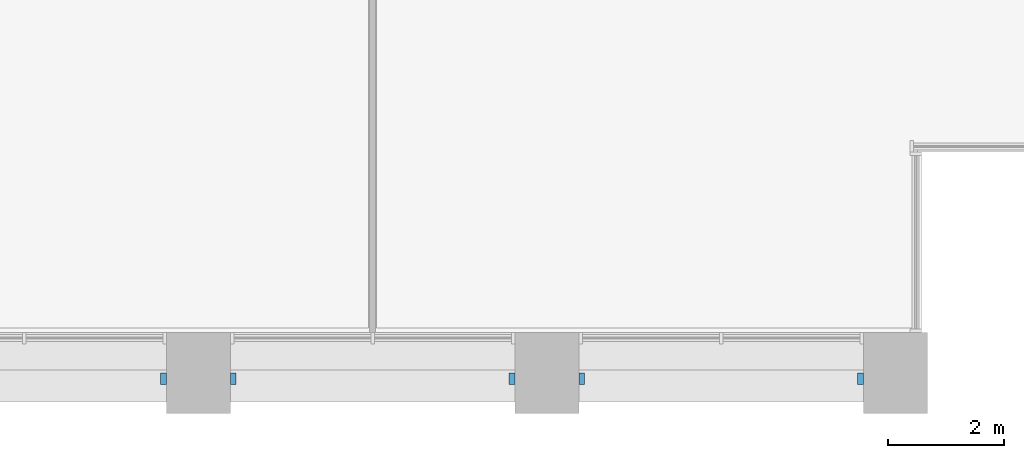
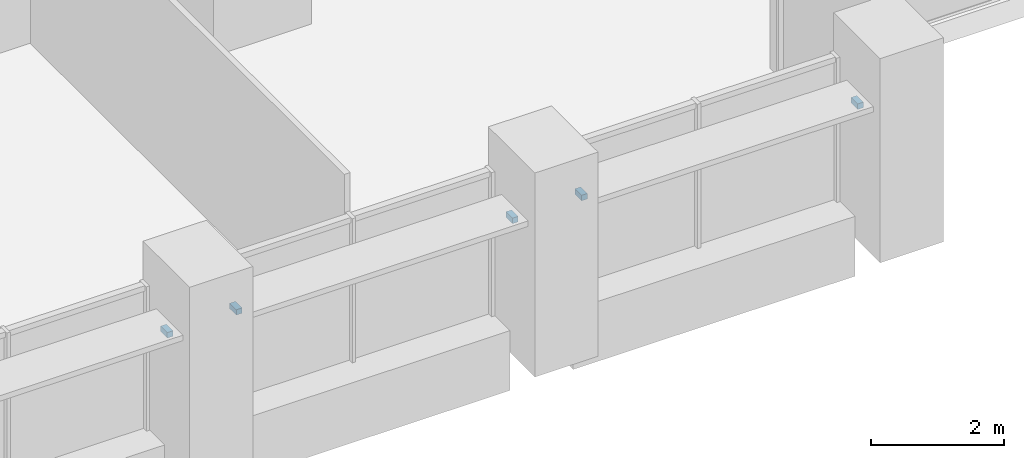
# One storey, part 16 of 18: 5 discrete accessories.
"""IFC4 building model written with IfcOpenShell, lengths in metres."""

from ifc_helpers import new_model, si_unit, direction, frame, origin, origin_2d, place, context, subcontext, project, spatial, rectangle, extrude, element, save


model = new_model("IFC4")

# Units and contexts
model_context = context("Model", 3, precision=1e-05, world=origin(), true_north=direction((0.0, 1.0)))
body_context = subcontext(model_context, "Body", "Model", "MODEL_VIEW")
ifc_project = project(units=[si_unit("LENGTHUNIT", "METRE"), si_unit("AREAUNIT", "SQUARE_METRE"), si_unit("VOLUMEUNIT", "CUBIC_METRE"), si_unit("PLANEANGLEUNIT", "RADIAN"), si_unit("MASSUNIT", "GRAM", prefix="KILO")], contexts=[model_context])

# Site, building, storey
site_placement = place(None, origin())
site = spatial("IfcSite", under=ifc_project, at=site_placement, CompositionType="ELEMENT")
building_placement = place(site_placement, origin())
building = spatial("IfcBuilding", under=site, at=building_placement, Name="Calvaro Tower", CompositionType="ELEMENT")
storey_placement = place(building_placement, frame((0.0, 0.0, 52.5)))
storey = spatial("IfcBuildingStorey", under=building, at=storey_placement, Name="L12", CompositionType="ELEMENT", Elevation=52.5)

# Discrete accessories
for number, where, z_axis, x_axis, name in (
    (1, (59.39990234375, 0.60009765625, 2.14990234375), (0.0, 0.0, 1.0), (1.0, 0.0, 0.0), "Brise-soleil bracket"),
    (2, (60.60009765625, 0.60009765625, 2.14990234375), (0.0, 0.0, 1.0), (1.0, 0.0, 0.0), "Brise-soleil bracket"),
    (3, (65.39990234375, 0.60009765625, 2.14990234375), (0.0, 0.0, 1.0), (1.0, 0.0, 0.0), "Brise-soleil bracket"),
    (4, (66.60009765625, 0.60009765625, 2.14990234375), (0.0, 0.0, 1.0), (1.0, 0.0, 0.0), "Brise-soleil bracket"),
    (5, (71.39990234375, 0.60009765625, 2.14990234375), (0.0, 0.0, 1.0), (1.0, 0.0, 0.0), "Brise-soleil bracket"),
):
    element("IfcDiscreteAccessory", number, at=place(storey_placement, frame(where, z_axis=z_axis, x_axis=x_axis)), inside=storey, Name=name, PredefinedType="BRACKET", context=body_context, shape_type="SweptSolid", body=[
        extrude(rectangle(XDim=0.10009765625, YDim=0.199951171875, at=origin_2d()), origin(), (0.0, 0.0, 1.0), 0.10009765625),
    ])

save(model, "model.ifc")
